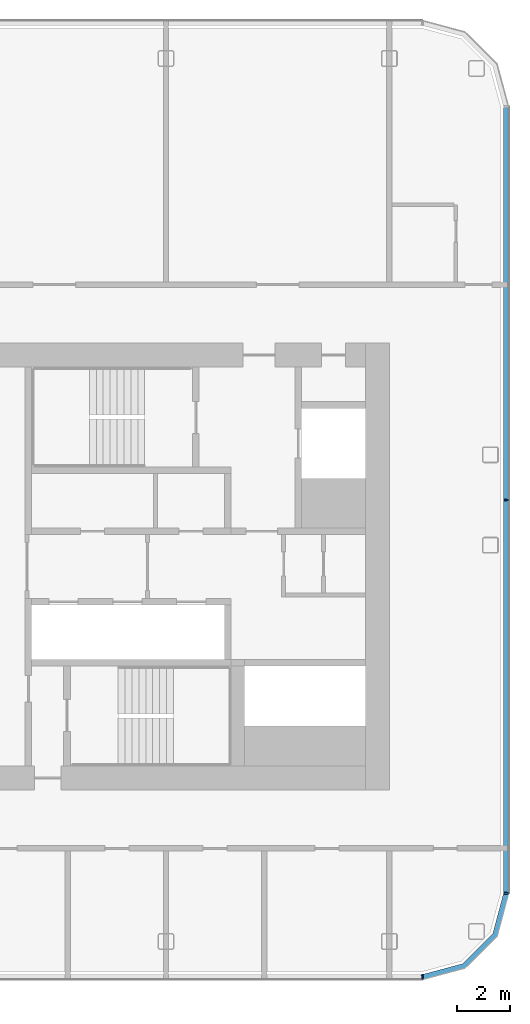
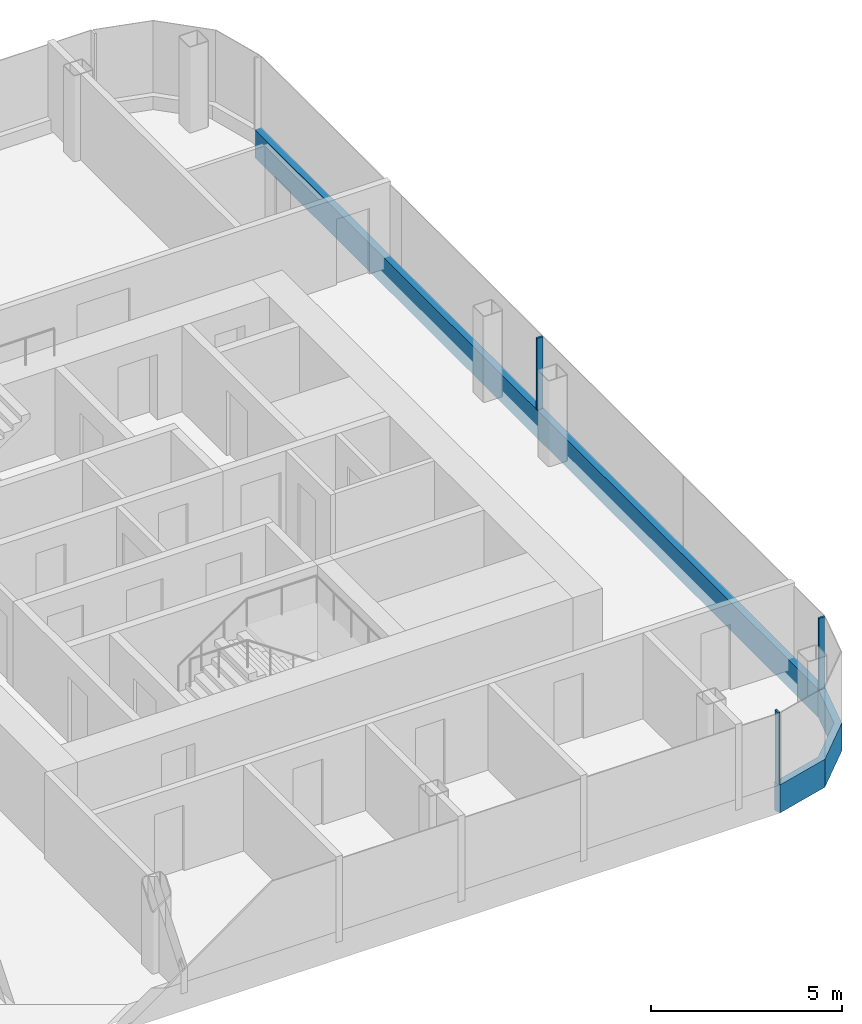
# One storey, part 10 of 26: 5 members, 3 elements without a shape of their own.
"""IFC4 building model written with IfcOpenShell, lengths in metres."""

from ifc_helpers import new_model, si_unit, direction, frame, origin, origin_2d, place, context, subcontext, project, spatial, polyline, rectangle, outline, extrude, material, layer, layer_set, material_profile, profile_set, type_object, element, aggregate, save


model = new_model("IFC4")

# Units and contexts
model_context = context("Model", 3, precision=1e-05, world=origin(), true_north=direction((0.0, 1.0)))
body_context = subcontext(model_context, "Body", "Model", "MODEL_VIEW")
ifc_project = project(units=[si_unit("LENGTHUNIT", "METRE"), si_unit("AREAUNIT", "SQUARE_METRE"), si_unit("VOLUMEUNIT", "CUBIC_METRE"), si_unit("PLANEANGLEUNIT", "RADIAN"), si_unit("MASSUNIT", "GRAM", prefix="KILO")], contexts=[model_context])

# Site, building, storey
site_placement = place(None, origin())
site = spatial("IfcSite", under=ifc_project, at=site_placement, CompositionType="ELEMENT")
building_placement = place(site_placement, origin())
building = spatial("IfcBuilding", under=site, at=building_placement, Name="Hakoniwa Tower and Hamabe Station Hall", CompositionType="ELEMENT")
storey_placement = place(building_placement, frame((0.0, 0.0, 221.800048828125)))
storey = spatial("IfcBuildingStorey", under=building, at=storey_placement, Name="L63", CompositionType="ELEMENT", Elevation=221.800048828125)

# Curtain wall, member
ifc_material_1 = material(Name="Dark low-e laminated glass", Category="glass")
ifc_layer = layer(ifc_material_1, 0.199951171875)
ifc_layer_set = layer_set([ifc_layer], Name="CW-1 UNITISED GUEST")
curtain_wall_type = type_object("IfcCurtainWallType", Name="CW-1 UNITISED GUEST", PredefinedType="NOTDEFINED", material=ifc_layer_set)
curtain_wall_1_placement = place(storey_placement, origin())
curtain_wall_1 = element("IfcCurtainWall", 1, at=curtain_wall_1_placement, inside=storey, type_object=curtain_wall_type, Name="CW-1 curtain wall", PredefinedType="NOTDEFINED")
ifc_material_2 = material(Name="Aluminium 6063-T5 black anodised", Category="aluminium")
ifc_material_profile_1 = material_profile(ifc_material_2, rectangle(XDim=0.199951171875, YDim=0.89990234375, at=origin_2d()), Name="CW SLAB-EDGE BAND 900X200")
ifc_profile_set_1 = profile_set([ifc_material_profile_1], Name="Aluminium 6063-T5 black anodised")
member_type_1 = type_object("IfcMemberType", Name="CW SLAB-EDGE BAND 900X200", PredefinedType="USERDEFINED", material=ifc_profile_set_1)
member_1_placement = place(storey_placement, frame((38.0, -12.28955078125, -0.10009765625), z_axis=(0.0, 1.0, 0.0), x_axis=(-1.0, 0.0, 0.0)))
member_1 = element("IfcMember", 2, at=member_1_placement, type_object=member_type_1, Name="CW-1 transom", ObjectType="TRANSOM", PredefinedType="USERDEFINED", context=body_context, shape_type="SweptSolid", body=[
    extrude(rectangle(XDim=0.199951171875, YDim=0.89990234375, at=origin_2d()), origin(), (0.0, 0.0, 1.0), 29.5791015625),
])

curtain_wall_2_placement = place(storey_placement, origin())
curtain_wall_2 = element("IfcCurtainWall", 3, at=curtain_wall_2_placement, inside=storey, type_object=curtain_wall_type, Name="CW-1 curtain wall", PredefinedType="NOTDEFINED")
member_2_placement = place(storey_placement, frame((0.0, 0.0, -0.550048828125)))
member_2 = element("IfcMember", 4, at=member_2_placement, type_object=member_type_1, Name="CW-1 transom", ObjectType="TRANSOM", PredefinedType="USERDEFINED", context=body_context, shape_type="SweptSolid", body=[
    extrude(outline(polyline([(34.839599609375, -15.550048828125), (36.455322265625, -15.116943359375), (37.6669921875, -13.9052734375), (38.10009765625, -12.28955078125), (37.90673828125, -12.23779296875), (37.48779296875, -13.8017578125), (36.351806640625, -14.937744140625), (34.787841796875, -15.35693359375), (34.839599609375, -15.550048828125)])), origin(), (0.0, 0.0, 1.0), 0.89990234375),
])
aggregate(curtain_wall_2, [member_2])

# Member
ifc_material_3 = material(Name="Aluminium 6063-T5 black anodised", Category="aluminium")
ifc_material_profile_2 = material_profile(ifc_material_3, rectangle(XDim=0.06005859375, YDim=0.179931640625, at=origin_2d()), Name="CW-1 MULLION 60X180")
ifc_profile_set_2 = profile_set([ifc_material_profile_2], Name="Aluminium 6063-T5 black anodised")
member_type_2 = type_object("IfcMemberType", Name="CW-1 MULLION 60X180", PredefinedType="MULLION", material=ifc_profile_set_2)
member_3_placement = place(storey_placement, frame((37.98193359375, -12.28955078125, 0.349853515625), z_axis=(0.0, 0.0, 1.0), x_axis=(0.0, 1.0, 0.0)))
member_3 = element("IfcMember", 5, at=member_3_placement, type_object=member_type_2, Name="CW-1 mullion", PredefinedType="MULLION", context=body_context, shape_type="SweptSolid", body=[
    extrude(rectangle(XDim=0.06005859375, YDim=0.179931640625, at=origin_2d()), origin(), (0.0, 0.0, 1.0), 2.300048828125),
])

member_4_placement = place(storey_placement, frame((37.98193359375, 2.5, 0.349853515625), z_axis=(0.0, 0.0, 1.0), x_axis=(0.0, 1.0, 0.0)))
member_4 = element("IfcMember", 6, at=member_4_placement, type_object=member_type_2, Name="CW-1 mullion", PredefinedType="MULLION", context=body_context, shape_type="SweptSolid", body=[
    extrude(rectangle(XDim=0.06005859375, YDim=0.179931640625, at=origin_2d()), origin(), (0.0, 0.0, 1.0), 2.300048828125),
])

aggregate(curtain_wall_1, [member_3, member_4, member_1])

# Curtain wall, member
curtain_wall_3_placement = place(storey_placement, origin())
curtain_wall_3 = element("IfcCurtainWall", 7, at=curtain_wall_3_placement, inside=storey, type_object=curtain_wall_type, Name="CW-1 curtain wall", PredefinedType="NOTDEFINED")
member_5_placement = place(storey_placement, frame((34.839599609375, -15.431884765625, 0.349853515625), z_axis=(0.0, 0.0, 1.0), x_axis=(1.0, 0.0, 0.0)))
member_5 = element("IfcMember", 8, at=member_5_placement, type_object=member_type_2, Name="CW-1 mullion", PredefinedType="MULLION", context=body_context, shape_type="SweptSolid", body=[
    extrude(rectangle(XDim=0.06005859375, YDim=0.179931640625, at=origin_2d()), origin(), (0.0, 0.0, 1.0), 2.300048828125),
])
aggregate(curtain_wall_3, [member_5])

save(model, "model.ifc")
